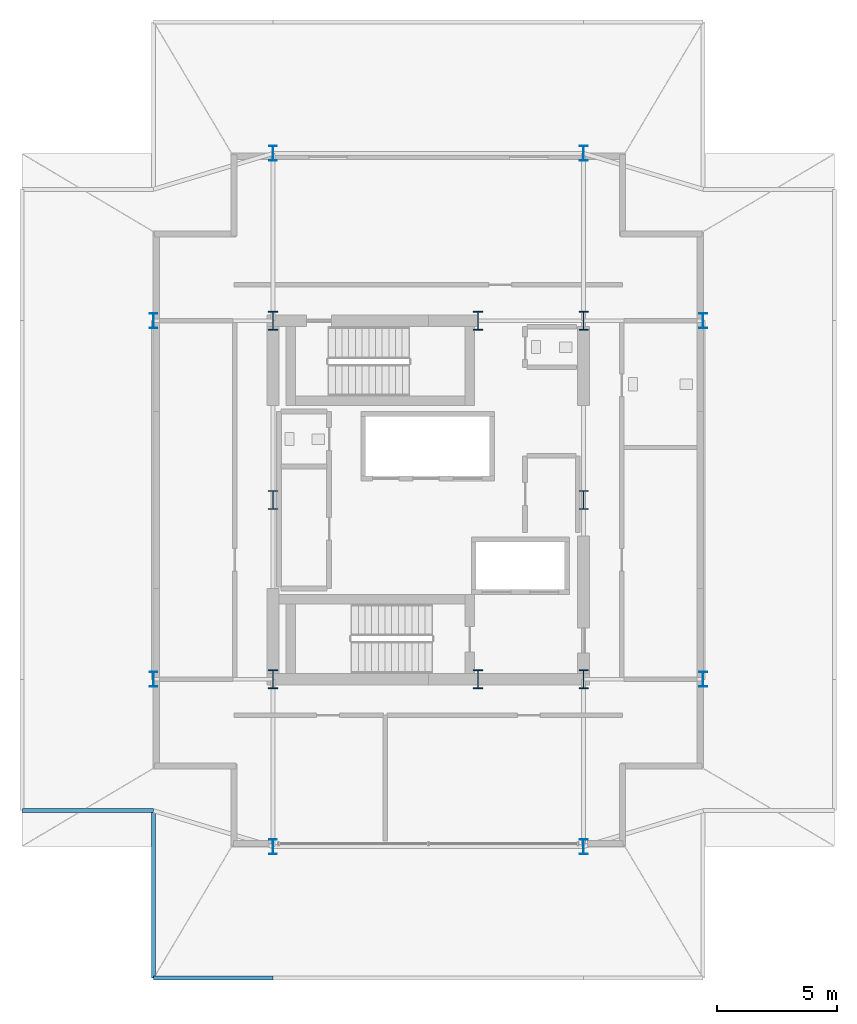
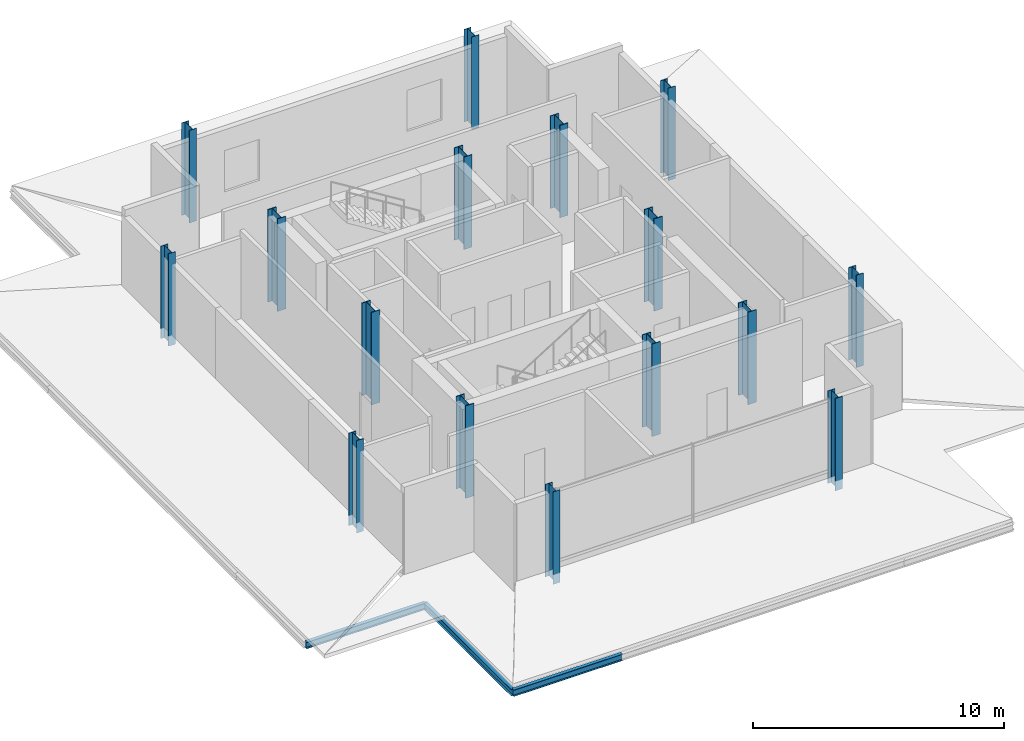
# One storey, part 1 of 9: 16 columns, 3 beams.
"""IFC4 building model written with IfcOpenShell, lengths in metres."""

import ifcopenshell
import ifcopenshell.guid

model = None  # the IFC model being written
_history = None  # IfcOwnerHistory: only IFC2X3 demands one
_inside = {}  # id of a spatial element -> (the spatial element, [elements in it])
_under = {}  # id of a project, library or spatial element -> (it, [spatial elements below it])
_declared = {}  # id of a project -> (the project, [libraries it declares])
_typed = {}  # id of a type object -> (the type object, [elements of that type])
_made_of = {}  # id of a material, layer set ... -> (it, [elements and type objects made of it])


def new_model(schema):
    """Start an empty IFC model of exactly this schema.

    Asked for "IFC4X3", IfcOpenShell would pick the latest addendum, in which some entities
    have other attributes; the version numbers below select the first issue.
    IFC2X3 requires an IfcOwnerHistory on every rooted entity: one is made here for all.
    """
    global model, _history
    if schema == "IFC4X3":
        model = ifcopenshell.file(schema_version=(4, 3, 0, 0))
    else:
        model = ifcopenshell.file(schema=schema)
    _inside.clear()
    _under.clear()
    _declared.clear()
    _typed.clear()
    _made_of.clear()
    _history = None
    if model.schema == "IFC2X3":
        org = make("IfcOrganization", Name="unknown")
        user = make(
            "IfcPersonAndOrganization",
            ThePerson=make("IfcPerson", FamilyName="unknown"),
            TheOrganization=org,
        )
        app = make(
            "IfcApplication",
            ApplicationDeveloper=org,
            Version="unknown",
            ApplicationFullName="unknown",
            ApplicationIdentifier="unknown",
        )
        _history = make(
            "IfcOwnerHistory",
            OwningUser=user,
            OwningApplication=app,
            ChangeAction="ADDED",
            CreationDate=0,
        )
    return model


def make(cls, **values):
    """One entity of the class cls with the attributes given. An attribute that is None is left unset."""
    return model.create_entity(
        cls, **{name: value for name, value in values.items() if value is not None}
    )


def rooted(cls, **values):
    """An entity with a GlobalId (a new one), such as an element, a storey or a relation."""
    return make(cls, GlobalId=ifcopenshell.guid.new(), OwnerHistory=_history, **values)


def si_unit(unit_type, name, prefix=None):
    """IfcSIUnit, for example si_unit("LENGTHUNIT", "METRE", prefix="MILLI")."""
    return make("IfcSIUnit", UnitType=unit_type, Prefix=prefix, Name=name)


def assignment(units):
    """IfcUnitAssignment: the units of a project."""
    return None if units is None else make("IfcUnitAssignment", Units=units)


def point(xyz):
    """IfcCartesianPoint."""
    return None if xyz is None else make("IfcCartesianPoint", Coordinates=xyz)


def direction(xyz):
    """IfcDirection."""
    return None if xyz is None else make("IfcDirection", DirectionRatios=xyz)


def frame(location, z_axis=None, x_axis=None):
    """IfcAxis2Placement3D, a coordinate frame: its origin and axes. An axis left out is left unset."""
    return make(
        "IfcAxis2Placement3D",
        Location=point(location),
        Axis=direction(z_axis),
        RefDirection=direction(x_axis),
    )


def frame_2d(location, x_axis=None):
    """IfcAxis2Placement2D, a coordinate frame in the plane: its origin and x axis."""
    return make(
        "IfcAxis2Placement2D", Location=point(location), RefDirection=direction(x_axis)
    )


def origin():
    """The frame at (0, 0, 0) with its axes left unset."""
    return frame((0.0, 0.0, 0.0))


def origin_2d():
    """The frame at (0, 0) in the plane with its x axis left unset."""
    return frame_2d((0.0, 0.0))


def place(relative_to, where):
    """IfcLocalPlacement: puts the frame where relative to a parent placement (None: the world)."""
    return make(
        "IfcLocalPlacement", PlacementRelTo=relative_to, RelativePlacement=where
    )


def context(
    kind, dimensions, precision=None, world=None, true_north=None, identifier=None
):
    """IfcGeometricRepresentationContext, for example the 3D "Model" context."""
    return make(
        "IfcGeometricRepresentationContext",
        ContextIdentifier=identifier,
        ContextType=kind,
        CoordinateSpaceDimension=dimensions,
        Precision=precision,
        WorldCoordinateSystem=world,
        TrueNorth=true_north,
    )


def subcontext(parent, identifier, kind, view, scale=None):
    """IfcGeometricRepresentationSubContext, for example "Body" below "Model"."""
    return make(
        "IfcGeometricRepresentationSubContext",
        ContextIdentifier=identifier,
        ContextType=kind,
        ParentContext=parent,
        TargetScale=scale,
        TargetView=view,
    )


def project(units=None, contexts=None):
    """IfcProject with its units and contexts."""
    return rooted(
        "IfcProject",
        Name="project",
        RepresentationContexts=contexts,
        UnitsInContext=assignment(units),
    )


def spatial(cls, under=None, at=None, **own):
    """A site, building, storey or space (cls), placed at a placement, below another one or the project."""
    s = rooted(cls, ObjectPlacement=at, **own)
    if under is not None:
        _under.setdefault(under.id(), (under, []))[1].append(s)
    return s


def profile(cls, at=None, kind="AREA", **sizes):
    """A parametric profile (cls). Its sizes go by their IFC names, for example OverallWidth=200.0."""
    return make(cls, ProfileType=kind, Position=at, **sizes)


def i_section(**sizes):
    """IfcIShapeProfileDef."""
    return profile("IfcIShapeProfileDef", **sizes)


def extrude(swept, where, along, depth):
    """IfcExtrudedAreaSolid: the profile swept, set in the frame where, extruded along a direction by depth."""
    return make(
        "IfcExtrudedAreaSolid",
        SweptArea=swept,
        Position=where,
        ExtrudedDirection=direction(along),
        Depth=depth,
    )


def shape(context_of_items, identifier, shape_type, items):
    """IfcShapeRepresentation: the items that make up one representation, for example the "Body"."""
    return make(
        "IfcShapeRepresentation",
        ContextOfItems=context_of_items,
        RepresentationIdentifier=identifier,
        RepresentationType=shape_type,
        Items=items,
    )


def material(Name=None, Category=None):
    """IfcMaterial."""
    return make("IfcMaterial", Name=Name, Category=Category)


def material_profile(
    of_material, cross_section, Name=None, Category=None, Priority=None
):
    """IfcMaterialProfile: a cross section and its material."""
    return make(
        "IfcMaterialProfile",
        Name=Name,
        Material=of_material,
        Profile=cross_section,
        Priority=Priority,
        Category=Category,
    )


def profile_set(profiles, Name=None, composite=None):
    """IfcMaterialProfileSet."""
    return make(
        "IfcMaterialProfileSet",
        Name=Name,
        MaterialProfiles=profiles,
        CompositeProfile=composite,
    )


def made_of(thing, what):
    """Note that an element or type object is made of a material, layer set ...; save() writes the relation."""
    if what is not None:
        _made_of.setdefault(what.id(), (what, []))[1].append(thing)
    return thing


def type_object(cls, material=None, **own):
    """A type object (cls), such as IfcWallType, which elements share."""
    return made_of(rooted(cls, **own), material)


def element(
    cls,
    number,
    at=None,
    inside=None,
    cuts=None,
    type_object=None,
    material=None,
    context=None,
    identifier="Body",
    shape_type=None,
    held_by="IfcProductDefinitionShape",
    body=None,
    shapes=None,
    **own,
):
    """One element of the class cls, such as IfcWall. Its Tag is "e" and its number.

    at: its placement. inside: the storey or other place that contains it. cuts: it is an
    opening in that element (IfcRelVoidsElement). A single representation is given by context,
    identifier, shape_type and body (its items); several are given by shapes. held_by: the class
    of the entity that holds the representations. save() writes the other relations.
    """
    e = rooted(cls, Tag="e%d" % number, ObjectPlacement=at, **own)
    if body is not None:
        shapes = [shape(context, identifier, shape_type, body)]
    if shapes is not None:
        e.Representation = make(held_by, Representations=shapes)
    if inside is not None:
        _inside.setdefault(inside.id(), (inside, []))[1].append(e)
    if cuts is not None:
        rooted(
            "IfcRelVoidsElement", RelatingBuildingElement=cuts, RelatedOpeningElement=e
        )
    if type_object is not None:
        _typed.setdefault(type_object.id(), (type_object, []))[1].append(e)
    return made_of(e, material)


def aggregate(whole, parts):
    """IfcRelAggregates: a whole, such as a stair, and the parts it consists of."""
    return rooted("IfcRelAggregates", RelatingObject=whole, RelatedObjects=parts)


def save(model, path):
    """Write the relations noted so far, then the file.

    IfcRelAggregates (storeys below a building ...), IfcRelContainedInSpatialStructure (elements
    in a storey), IfcRelDefinesByType, IfcRelAssociatesMaterial and IfcRelDeclares: one each for
    every whole, place, type object, material and project.
    """
    for whole, parts in _under.values():
        aggregate(whole, parts)
    for where, things in _inside.values():
        rooted(
            "IfcRelContainedInSpatialStructure",
            RelatedElements=things,
            RelatingStructure=where,
        )
    for kind, things in _typed.values():
        rooted("IfcRelDefinesByType", RelatedObjects=things, RelatingType=kind)
    for what, things in _made_of.values():
        rooted("IfcRelAssociatesMaterial", RelatedObjects=things, RelatingMaterial=what)
    for by, libraries in _declared.values():
        rooted("IfcRelDeclares", RelatingContext=by, RelatedDefinitions=libraries)
    model.write(path)


model = new_model("IFC4")

# Units and contexts
model_context = context("Model", 3, precision=1e-05, world=origin(), true_north=direction((0.0, 1.0)))
body_context = subcontext(model_context, "Body", "Model", "MODEL_VIEW")
ifc_project = project(units=[si_unit("LENGTHUNIT", "METRE"), si_unit("AREAUNIT", "SQUARE_METRE"), si_unit("VOLUMEUNIT", "CUBIC_METRE"), si_unit("PLANEANGLEUNIT", "RADIAN"), si_unit("MASSUNIT", "GRAM", prefix="KILO")], contexts=[model_context])

# Site, building, storey
site_placement = place(None, origin())
site = spatial("IfcSite", under=ifc_project, at=site_placement, CompositionType="ELEMENT")
building_placement = place(site_placement, origin())
building = spatial("IfcBuilding", under=site, at=building_placement, Name="Barlavira Tower and Art Museum", CompositionType="ELEMENT")
storey_placement = place(building_placement, frame((0.0, 0.0, 309.89990234375)))
storey = spatial("IfcBuildingStorey", under=building, at=storey_placement, Name="L81", CompositionType="ELEMENT", Elevation=309.89990234375)

# Columns
ifc_material = material(Name="Steel S355", Category="steel")
ifc_material_profile_1 = material_profile(ifc_material, i_section(OverallWidth=0.382080078125, OverallDepth=0.785888671875, WebThickness=0.02001953125, FlangeThickness=0.032958984375, at=origin_2d()), Name="W760x314.0")
ifc_profile_set_1 = profile_set([ifc_material_profile_1], Name="Steel S355")
column_type_1 = type_object("IfcColumnType", Name="Core Composite Column W760x314 Steel S355", PredefinedType="COLUMN", material=ifc_profile_set_1)
for number, where, z_axis, x_axis, name in (
    (1, (-6.5, -7.5, 0.0), (0.0, 0.0, 1.0), (1.0, 0.0, 0.0), "L81 Column CC-L81-C1"),
    (2, (2.080078125, -7.5, 0.0), (0.0, 0.0, 1.0), (1.0, 0.0, 0.0), "L81 Column CC-L81-C2"),
    (3, (6.5, -7.5, 0.0), (0.0, 0.0, 1.0), (1.0, 0.0, 0.0), "L81 Column CC-L81-C3"),
    (4, (-6.5, 0.0, 0.0), (0.0, 0.0, 1.0), (1.0, 0.0, 0.0), "L81 Column CC-L81-C4"),
    (5, (6.5, 0.0, 0.0), (0.0, 0.0, 1.0), (1.0, 0.0, 0.0), "L81 Column CC-L81-C5"),
    (6, (-6.5, 7.5, 0.0), (0.0, 0.0, 1.0), (1.0, 0.0, 0.0), "L81 Column CC-L81-C6"),
    (7, (2.080078125, 7.5, 0.0), (0.0, 0.0, 1.0), (1.0, 0.0, 0.0), "L81 Column CC-L81-C7"),
    (8, (6.5, 7.5, 0.0), (0.0, 0.0, 1.0), (1.0, 0.0, 0.0), "L81 Column CC-L81-C8"),
):
    element("IfcColumn", number, at=place(storey_placement, frame(where, z_axis=z_axis, x_axis=x_axis)), inside=storey, type_object=column_type_1, Name=name, PredefinedType="COLUMN", context=body_context, shape_type="SweptSolid", body=[
        extrude(i_section(OverallWidth=0.382080078125, OverallDepth=0.785888671875, WebThickness=0.02001953125, FlangeThickness=0.032958984375, at=origin_2d()), origin(), (0.0, 0.0, 1.0), 4.5),
    ])
ifc_material_profile_2 = material_profile(ifc_material, i_section(OverallWidth=0.327880859375, OverallDepth=0.62890625, WebThickness=0.013916015625, FlangeThickness=0.021484375, at=origin_2d()), Name="W610x174.0")
ifc_profile_set_2 = profile_set([ifc_material_profile_2], Name="Steel S355")
column_type_2 = type_object("IfcColumnType", Name="Crown Frame Column W610x174 Steel S355", PredefinedType="COLUMN", material=ifc_profile_set_2)
for number, where, z_axis, x_axis, name in (
    (9, (-6.5, -14.5, 0.0), (0.0, 0.0, 1.0), (1.0, 0.0, 0.0), "L81 Column CCR-L81-CR1"),
    (10, (6.5, -14.5, 0.0), (0.0, 0.0, 1.0), (1.0, 0.0, 0.0), "L81 Column CCR-L81-CR3"),
    (11, (-11.5, -7.5, 0.0), (0.0, 0.0, 1.0), (1.0, 0.0, 0.0), "L81 Column CCR-L81-CR6"),
    (12, (11.5, -7.5, 0.0), (0.0, 0.0, 1.0), (1.0, 0.0, 0.0), "L81 Column CCR-L81-CR7"),
    (13, (-11.5, 7.5, 0.0), (0.0, 0.0, 1.0), (1.0, 0.0, 0.0), "L81 Column CCR-L81-CRA"),
    (14, (11.5, 7.5, 0.0), (0.0, 0.0, 1.0), (1.0, 0.0, 0.0), "L81 Column CCR-L81-CRB"),
    (15, (-6.5, 14.5, 0.0), (0.0, 0.0, 1.0), (1.0, 0.0, 0.0), "L81 Column CCR-L81-CRE"),
    (16, (6.5, 14.5, 0.0), (0.0, 0.0, 1.0), (1.0, 0.0, 0.0), "L81 Column CCR-L81-CRG"),
):
    element("IfcColumn", number, at=place(storey_placement, frame(where, z_axis=z_axis, x_axis=x_axis)), inside=storey, type_object=column_type_2, Name=name, PredefinedType="COLUMN", context=body_context, shape_type="SweptSolid", body=[
        extrude(i_section(OverallWidth=0.327880859375, OverallDepth=0.62890625, WebThickness=0.013916015625, FlangeThickness=0.021484375, at=origin_2d()), origin(), (0.0, 0.0, 1.0), 4.5),
    ])

# Beams
ifc_material_profile_3 = material_profile(ifc_material, i_section(OverallWidth=0.1669921875, OverallDepth=0.31689453125, WebThickness=0.007568359375, FlangeThickness=0.01318359375, at=origin_2d()), Name="W310x52.0")
ifc_profile_set_3 = profile_set([ifc_material_profile_3], Name="Steel S355")
beam_type = type_object("IfcBeamType", Name="Crown Floor Joist W310x52 Steel S355", PredefinedType="JOIST", material=ifc_profile_set_3)
beam_1_placement = place(storey_placement, frame((-11.5, -20.0, -0.408447265625), z_axis=(1.0, 0.0, 0.0), x_axis=(0.0, 1.0, 0.0)))
element("IfcBeam", 17, at=beam_1_placement, inside=storey, type_object=beam_type, Name="L81 Lookout Canopy Ring Beam CANS1", PredefinedType="JOIST", context=body_context, shape_type="SweptSolid", body=[
    extrude(i_section(OverallWidth=0.1669921875, OverallDepth=0.31689453125, WebThickness=0.007568359375, FlangeThickness=0.01318359375, at=origin_2d()), origin(), (0.0, 0.0, 1.0), 5.0),
])
beam_2_placement = place(storey_placement, frame((-11.5, -20.0, -0.408447265625), z_axis=(0.0, 1.0, 0.0), x_axis=(-1.0, 0.0, 0.0)))
element("IfcBeam", 18, at=beam_2_placement, inside=storey, type_object=beam_type, Name="L81 Lookout Canopy Ring Beam CSW1", PredefinedType="JOIST", context=body_context, shape_type="SweptSolid", body=[
    extrude(i_section(OverallWidth=0.1669921875, OverallDepth=0.31689453125, WebThickness=0.007568359375, FlangeThickness=0.01318359375, at=origin_2d()), origin(), (0.0, 0.0, 1.0), 7.0),
])
beam_3_placement = place(storey_placement, frame((-17.0, -13.0, -0.408447265625), z_axis=(1.0, 0.0, 0.0), x_axis=(0.0, 1.0, 0.0)))
element("IfcBeam", 19, at=beam_3_placement, inside=storey, type_object=beam_type, Name="L81 Lookout Canopy Ring Beam CSW2", PredefinedType="JOIST", context=body_context, shape_type="SweptSolid", body=[
    extrude(i_section(OverallWidth=0.1669921875, OverallDepth=0.31689453125, WebThickness=0.007568359375, FlangeThickness=0.01318359375, at=origin_2d()), origin(), (0.0, 0.0, 1.0), 5.5),
])

save(model, "model.ifc")
